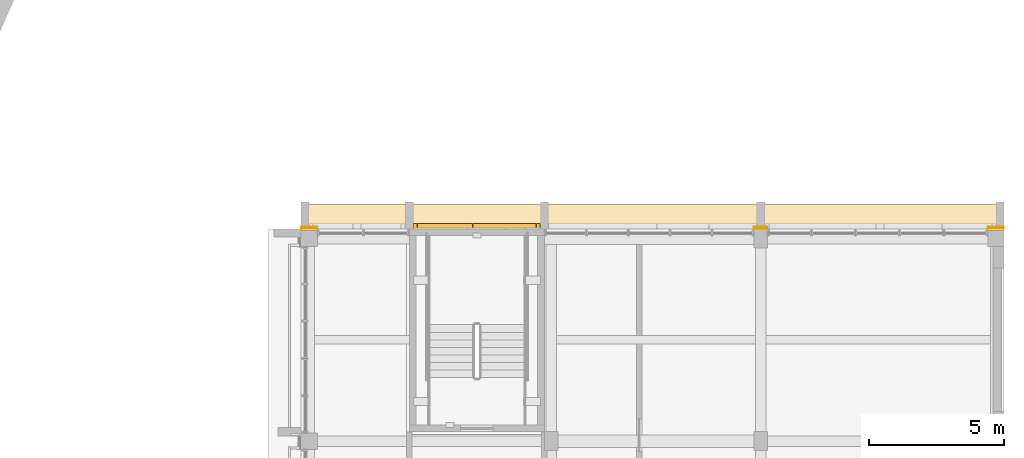
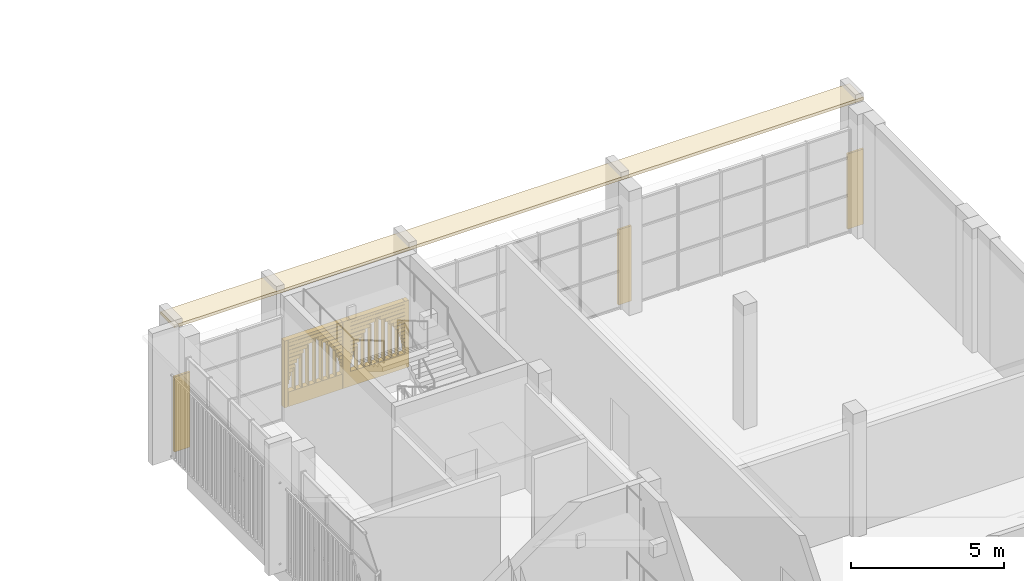
# One storey, part 123 of 125: 3 coverings.
"""IFC4 building model written with IfcOpenShell, lengths in metres."""

from ifc_helpers import new_model, si_unit, direction, frame, origin, origin_2d, place, context, subcontext, project, spatial, polyline, rectangle, outline, extrude, material, layer, layer_set, type_object, element, save


model = new_model("IFC4")

# Units and contexts
model_context = context("Model", 3, precision=1e-05, world=origin(), true_north=direction((0.0, 1.0)))
body_context = subcontext(model_context, "Body", "Model", "MODEL_VIEW")
ifc_project = project(units=[si_unit("LENGTHUNIT", "METRE"), si_unit("AREAUNIT", "SQUARE_METRE"), si_unit("VOLUMEUNIT", "CUBIC_METRE"), si_unit("PLANEANGLEUNIT", "RADIAN"), si_unit("MASSUNIT", "GRAM", prefix="KILO")], contexts=[model_context])

# Site, building, storey
site_placement = place(None, origin())
site = spatial("IfcSite", under=ifc_project, at=site_placement, CompositionType="ELEMENT")
building_placement = place(site_placement, origin())
building = spatial("IfcBuilding", under=site, at=building_placement, Name="Sun Court Science Centre", CompositionType="ELEMENT")
storey_placement = place(building_placement, frame((0.0, 0.0, 6.0)))
storey = spatial("IfcBuildingStorey", under=building, at=storey_placement, Name="L01", CompositionType="ELEMENT", Elevation=6.0)

# Coverings
ifc_material_1 = material(Name="Red sandstone", Category="masonry")
ifc_layer_1 = layer(ifc_material_1, 0.199951171875)
ifc_layer_set_1 = layer_set([ifc_layer_1], Name="Red sandstone")
covering_type_1 = type_object("IfcCoveringType", Name="Arched jali screen 200", PredefinedType="CLADDING", material=ifc_layer_set_1)
covering_1_placement = place(storey_placement, frame((0.0, 0.0, -6.0)))
element("IfcCovering", 1, at=covering_1_placement, inside=storey, type_object=covering_type_1, Name="Arched jali screen north L01 02", PredefinedType="CLADDING", context=body_context, shape_type="SweptSolid", body=[
    extrude(rectangle(XDim=0.139892578125, YDim=0.199951171875, at=origin_2d()), frame((82.22509765625, 81.10009765625, 6.30517578125), z_axis=(0.0, 0.0, 1.0), x_axis=(1.0, 0.0, 0.0)), (0.0, 0.0, 1.0), 2.665283203125),
    extrude(rectangle(XDim=0.2900390625, YDim=0.199951171875, at=origin_2d()), frame((84.5, 81.10009765625, 6.30517578125), z_axis=(0.0, 0.0, 1.0), x_axis=(1.0, 0.0, 0.0)), (0.0, 0.0, 1.0), 2.665283203125),
    extrude(rectangle(XDim=0.139892578125, YDim=0.199951171875, at=origin_2d()), frame((86.77490234375, 81.10009765625, 6.30517578125), z_axis=(0.0, 0.0, 1.0), x_axis=(1.0, 0.0, 0.0)), (0.0, 0.0, 1.0), 2.665283203125),
    extrude(rectangle(XDim=2.0400390625, YDim=0.199951171875, at=origin_2d()), frame((83.324951171875, 81.10009765625, 6.30517578125), z_axis=(0.0, 0.0, 1.0), x_axis=(1.0, 0.0, 0.0)), (0.0, 0.0, 1.0), 0.590087890625),
    extrude(rectangle(XDim=0.024658203125, YDim=0.199951171875, at=origin_2d()), frame((82.3173828125, 81.10009765625, 7.205078125), z_axis=(0.0, 0.0, 1.0), x_axis=(1.0, 0.0, 0.0)), (0.0, 0.0, 1.0), 0.139892578125),
    extrude(rectangle(XDim=0.024658203125, YDim=0.199951171875, at=origin_2d()), frame((84.332763671875, 81.10009765625, 7.205078125), z_axis=(0.0, 0.0, 1.0), x_axis=(1.0, 0.0, 0.0)), (0.0, 0.0, 1.0), 0.139892578125),
    extrude(rectangle(XDim=0.058349609375, YDim=0.199951171875, at=origin_2d()), frame((82.334228515625, 81.10009765625, 7.35498046875), z_axis=(0.0, 0.0, 1.0), x_axis=(1.0, 0.0, 0.0)), (0.0, 0.0, 1.0), 0.139892578125),
    extrude(rectangle(XDim=0.058349609375, YDim=0.199951171875, at=origin_2d()), frame((84.31591796875, 81.10009765625, 7.35498046875), z_axis=(0.0, 0.0, 1.0), x_axis=(1.0, 0.0, 0.0)), (0.0, 0.0, 1.0), 0.139892578125),
    extrude(rectangle(XDim=0.104248046875, YDim=0.199951171875, at=origin_2d()), frame((82.357177734375, 81.10009765625, 7.5048828125), z_axis=(0.0, 0.0, 1.0), x_axis=(1.0, 0.0, 0.0)), (0.0, 0.0, 1.0), 0.139892578125),
    extrude(rectangle(XDim=0.104248046875, YDim=0.199951171875, at=origin_2d()), frame((84.292724609375, 81.10009765625, 7.5048828125), z_axis=(0.0, 0.0, 1.0), x_axis=(1.0, 0.0, 0.0)), (0.0, 0.0, 1.0), 0.139892578125),
    extrude(rectangle(XDim=0.163330078125, YDim=0.199951171875, at=origin_2d()), frame((82.38671875, 81.10009765625, 7.6552734375), z_axis=(0.0, 0.0, 1.0), x_axis=(1.0, 0.0, 0.0)), (0.0, 0.0, 1.0), 0.139892578125),
    extrude(rectangle(XDim=0.163330078125, YDim=0.199951171875, at=origin_2d()), frame((84.263427734375, 81.10009765625, 7.6552734375), z_axis=(0.0, 0.0, 1.0), x_axis=(1.0, 0.0, 0.0)), (0.0, 0.0, 1.0), 0.139892578125),
    extrude(rectangle(XDim=0.23681640625, YDim=0.199951171875, at=origin_2d()), frame((82.42333984375, 81.10009765625, 7.80517578125), z_axis=(0.0, 0.0, 1.0), x_axis=(1.0, 0.0, 0.0)), (0.0, 0.0, 1.0), 0.139892578125),
    extrude(rectangle(XDim=0.23681640625, YDim=0.199951171875, at=origin_2d()), frame((84.2265625, 81.10009765625, 7.80517578125), z_axis=(0.0, 0.0, 1.0), x_axis=(1.0, 0.0, 0.0)), (0.0, 0.0, 1.0), 0.139892578125),
    extrude(rectangle(XDim=0.326171875, YDim=0.199951171875, at=origin_2d()), frame((82.468017578125, 81.10009765625, 7.955078125), z_axis=(0.0, 0.0, 1.0), x_axis=(1.0, 0.0, 0.0)), (0.0, 0.0, 1.0), 0.139892578125),
    extrude(rectangle(XDim=0.326171875, YDim=0.199951171875, at=origin_2d()), frame((84.181884765625, 81.10009765625, 7.955078125), z_axis=(0.0, 0.0, 1.0), x_axis=(1.0, 0.0, 0.0)), (0.0, 0.0, 1.0), 0.139892578125),
    extrude(rectangle(XDim=0.434814453125, YDim=0.199951171875, at=origin_2d()), frame((82.5224609375, 81.10009765625, 8.10498046875), z_axis=(0.0, 0.0, 1.0), x_axis=(1.0, 0.0, 0.0)), (0.0, 0.0, 1.0), 0.139892578125),
    extrude(rectangle(XDim=0.434814453125, YDim=0.199951171875, at=origin_2d()), frame((84.127685546875, 81.10009765625, 8.10498046875), z_axis=(0.0, 0.0, 1.0), x_axis=(1.0, 0.0, 0.0)), (0.0, 0.0, 1.0), 0.139892578125),
    extrude(rectangle(XDim=0.566162109375, YDim=0.199951171875, at=origin_2d()), frame((82.588134765625, 81.10009765625, 8.2548828125), z_axis=(0.0, 0.0, 1.0), x_axis=(1.0, 0.0, 0.0)), (0.0, 0.0, 1.0), 0.139892578125),
    extrude(rectangle(XDim=0.566162109375, YDim=0.199951171875, at=origin_2d()), frame((84.061767578125, 81.10009765625, 8.2548828125), z_axis=(0.0, 0.0, 1.0), x_axis=(1.0, 0.0, 0.0)), (0.0, 0.0, 1.0), 0.139892578125),
    extrude(rectangle(XDim=0.727783203125, YDim=0.199951171875, at=origin_2d()), frame((82.6689453125, 81.10009765625, 8.4052734375), z_axis=(0.0, 0.0, 1.0), x_axis=(1.0, 0.0, 0.0)), (0.0, 0.0, 1.0), 0.139892578125),
    extrude(rectangle(XDim=0.727783203125, YDim=0.199951171875, at=origin_2d()), frame((83.981201171875, 81.10009765625, 8.4052734375), z_axis=(0.0, 0.0, 1.0), x_axis=(1.0, 0.0, 0.0)), (0.0, 0.0, 1.0), 0.139892578125),
    extrude(rectangle(XDim=0.932373046875, YDim=0.199951171875, at=origin_2d()), frame((82.771240234375, 81.10009765625, 8.55517578125), z_axis=(0.0, 0.0, 1.0), x_axis=(1.0, 0.0, 0.0)), (0.0, 0.0, 1.0), 0.139892578125),
    extrude(rectangle(XDim=0.932373046875, YDim=0.199951171875, at=origin_2d()), frame((83.87890625, 81.10009765625, 8.55517578125), z_axis=(0.0, 0.0, 1.0), x_axis=(1.0, 0.0, 0.0)), (0.0, 0.0, 1.0), 0.139892578125),
    extrude(rectangle(XDim=2.0400390625, YDim=0.199951171875, at=origin_2d()), frame((83.324951171875, 81.10009765625, 8.705078125), z_axis=(0.0, 0.0, 1.0), x_axis=(1.0, 0.0, 0.0)), (0.0, 0.0, 1.0), 0.139892578125),
    extrude(rectangle(XDim=2.0400390625, YDim=0.199951171875, at=origin_2d()), frame((83.324951171875, 81.10009765625, 8.85498046875), z_axis=(0.0, 0.0, 1.0), x_axis=(1.0, 0.0, 0.0)), (0.0, 0.0, 1.0), 0.115234375),
    extrude(rectangle(XDim=0.0400390625, YDim=0.199951171875, at=origin_2d()), frame((82.55615234375, 81.10009765625, 6.905029296875), z_axis=(0.0, 0.0, 1.0), x_axis=(1.0, 0.0, 0.0)), (0.0, 0.0, 1.0), 0.982421875),
    extrude(rectangle(XDim=0.0400390625, YDim=0.199951171875, at=origin_2d()), frame((82.8125, 81.10009765625, 6.90478515625), z_axis=(0.0, 0.0, 1.0), x_axis=(1.0, 0.0, 0.0)), (0.0, 0.0, 1.0), 1.345947265625),
    extrude(rectangle(XDim=0.0400390625, YDim=0.199951171875, at=origin_2d()), frame((83.06884765625, 81.10009765625, 6.905029296875), z_axis=(0.0, 0.0, 1.0), x_axis=(1.0, 0.0, 0.0)), (0.0, 0.0, 1.0), 1.59033203125),
    extrude(rectangle(XDim=0.0400390625, YDim=0.199951171875, at=origin_2d()), frame((83.324951171875, 81.10009765625, 6.90478515625), z_axis=(0.0, 0.0, 1.0), x_axis=(1.0, 0.0, 0.0)), (0.0, 0.0, 1.0), 1.765380859375),
    extrude(rectangle(XDim=0.0400390625, YDim=0.199951171875, at=origin_2d()), frame((83.581298828125, 81.10009765625, 6.905029296875), z_axis=(0.0, 0.0, 1.0), x_axis=(1.0, 0.0, 0.0)), (0.0, 0.0, 1.0), 1.59033203125),
    extrude(rectangle(XDim=0.0400390625, YDim=0.199951171875, at=origin_2d()), frame((83.83740234375, 81.10009765625, 6.90478515625), z_axis=(0.0, 0.0, 1.0), x_axis=(1.0, 0.0, 0.0)), (0.0, 0.0, 1.0), 1.345947265625),
    extrude(rectangle(XDim=0.0400390625, YDim=0.199951171875, at=origin_2d()), frame((84.09375, 81.10009765625, 6.905029296875), z_axis=(0.0, 0.0, 1.0), x_axis=(1.0, 0.0, 0.0)), (0.0, 0.0, 1.0), 0.982421875),
    extrude(rectangle(XDim=2.0400390625, YDim=0.199951171875, at=origin_2d()), frame((85.675048828125, 81.10009765625, 6.30517578125), z_axis=(0.0, 0.0, 1.0), x_axis=(1.0, 0.0, 0.0)), (0.0, 0.0, 1.0), 0.590087890625),
    extrude(rectangle(XDim=0.024658203125, YDim=0.199951171875, at=origin_2d()), frame((84.667236328125, 81.10009765625, 7.205078125), z_axis=(0.0, 0.0, 1.0), x_axis=(1.0, 0.0, 0.0)), (0.0, 0.0, 1.0), 0.139892578125),
    extrude(rectangle(XDim=0.024658203125, YDim=0.199951171875, at=origin_2d()), frame((86.6826171875, 81.10009765625, 7.205078125), z_axis=(0.0, 0.0, 1.0), x_axis=(1.0, 0.0, 0.0)), (0.0, 0.0, 1.0), 0.139892578125),
    extrude(rectangle(XDim=0.058349609375, YDim=0.199951171875, at=origin_2d()), frame((84.68408203125, 81.10009765625, 7.35498046875), z_axis=(0.0, 0.0, 1.0), x_axis=(1.0, 0.0, 0.0)), (0.0, 0.0, 1.0), 0.139892578125),
    extrude(rectangle(XDim=0.058349609375, YDim=0.199951171875, at=origin_2d()), frame((86.665771484375, 81.10009765625, 7.35498046875), z_axis=(0.0, 0.0, 1.0), x_axis=(1.0, 0.0, 0.0)), (0.0, 0.0, 1.0), 0.139892578125),
    extrude(rectangle(XDim=0.104248046875, YDim=0.199951171875, at=origin_2d()), frame((84.707275390625, 81.10009765625, 7.5048828125), z_axis=(0.0, 0.0, 1.0), x_axis=(1.0, 0.0, 0.0)), (0.0, 0.0, 1.0), 0.139892578125),
    extrude(rectangle(XDim=0.104248046875, YDim=0.199951171875, at=origin_2d()), frame((86.642822265625, 81.10009765625, 7.5048828125), z_axis=(0.0, 0.0, 1.0), x_axis=(1.0, 0.0, 0.0)), (0.0, 0.0, 1.0), 0.139892578125),
    extrude(rectangle(XDim=0.163330078125, YDim=0.199951171875, at=origin_2d()), frame((84.736572265625, 81.10009765625, 7.6552734375), z_axis=(0.0, 0.0, 1.0), x_axis=(1.0, 0.0, 0.0)), (0.0, 0.0, 1.0), 0.139892578125),
    extrude(rectangle(XDim=0.163330078125, YDim=0.199951171875, at=origin_2d()), frame((86.61328125, 81.10009765625, 7.6552734375), z_axis=(0.0, 0.0, 1.0), x_axis=(1.0, 0.0, 0.0)), (0.0, 0.0, 1.0), 0.139892578125),
    extrude(rectangle(XDim=0.23681640625, YDim=0.199951171875, at=origin_2d()), frame((84.7734375, 81.10009765625, 7.80517578125), z_axis=(0.0, 0.0, 1.0), x_axis=(1.0, 0.0, 0.0)), (0.0, 0.0, 1.0), 0.139892578125),
    extrude(rectangle(XDim=0.23681640625, YDim=0.199951171875, at=origin_2d()), frame((86.57666015625, 81.10009765625, 7.80517578125), z_axis=(0.0, 0.0, 1.0), x_axis=(1.0, 0.0, 0.0)), (0.0, 0.0, 1.0), 0.139892578125),
    extrude(rectangle(XDim=0.326171875, YDim=0.199951171875, at=origin_2d()), frame((84.818115234375, 81.10009765625, 7.955078125), z_axis=(0.0, 0.0, 1.0), x_axis=(1.0, 0.0, 0.0)), (0.0, 0.0, 1.0), 0.139892578125),
    extrude(rectangle(XDim=0.326171875, YDim=0.199951171875, at=origin_2d()), frame((86.531982421875, 81.10009765625, 7.955078125), z_axis=(0.0, 0.0, 1.0), x_axis=(1.0, 0.0, 0.0)), (0.0, 0.0, 1.0), 0.139892578125),
    extrude(rectangle(XDim=0.434814453125, YDim=0.199951171875, at=origin_2d()), frame((84.872314453125, 81.10009765625, 8.10498046875), z_axis=(0.0, 0.0, 1.0), x_axis=(1.0, 0.0, 0.0)), (0.0, 0.0, 1.0), 0.139892578125),
    extrude(rectangle(XDim=0.434814453125, YDim=0.199951171875, at=origin_2d()), frame((86.4775390625, 81.10009765625, 8.10498046875), z_axis=(0.0, 0.0, 1.0), x_axis=(1.0, 0.0, 0.0)), (0.0, 0.0, 1.0), 0.139892578125),
    extrude(rectangle(XDim=0.566162109375, YDim=0.199951171875, at=origin_2d()), frame((84.938232421875, 81.10009765625, 8.2548828125), z_axis=(0.0, 0.0, 1.0), x_axis=(1.0, 0.0, 0.0)), (0.0, 0.0, 1.0), 0.139892578125),
    extrude(rectangle(XDim=0.566162109375, YDim=0.199951171875, at=origin_2d()), frame((86.411865234375, 81.10009765625, 8.2548828125), z_axis=(0.0, 0.0, 1.0), x_axis=(1.0, 0.0, 0.0)), (0.0, 0.0, 1.0), 0.139892578125),
    extrude(rectangle(XDim=0.727783203125, YDim=0.199951171875, at=origin_2d()), frame((85.018798828125, 81.10009765625, 8.4052734375), z_axis=(0.0, 0.0, 1.0), x_axis=(1.0, 0.0, 0.0)), (0.0, 0.0, 1.0), 0.139892578125),
    extrude(rectangle(XDim=0.727783203125, YDim=0.199951171875, at=origin_2d()), frame((86.3310546875, 81.10009765625, 8.4052734375), z_axis=(0.0, 0.0, 1.0), x_axis=(1.0, 0.0, 0.0)), (0.0, 0.0, 1.0), 0.139892578125),
    extrude(rectangle(XDim=0.932373046875, YDim=0.199951171875, at=origin_2d()), frame((85.12109375, 81.10009765625, 8.55517578125), z_axis=(0.0, 0.0, 1.0), x_axis=(1.0, 0.0, 0.0)), (0.0, 0.0, 1.0), 0.139892578125),
    extrude(rectangle(XDim=0.932373046875, YDim=0.199951171875, at=origin_2d()), frame((86.228759765625, 81.10009765625, 8.55517578125), z_axis=(0.0, 0.0, 1.0), x_axis=(1.0, 0.0, 0.0)), (0.0, 0.0, 1.0), 0.139892578125),
    extrude(rectangle(XDim=2.0400390625, YDim=0.199951171875, at=origin_2d()), frame((85.675048828125, 81.10009765625, 8.705078125), z_axis=(0.0, 0.0, 1.0), x_axis=(1.0, 0.0, 0.0)), (0.0, 0.0, 1.0), 0.139892578125),
    extrude(rectangle(XDim=2.0400390625, YDim=0.199951171875, at=origin_2d()), frame((85.675048828125, 81.10009765625, 8.85498046875), z_axis=(0.0, 0.0, 1.0), x_axis=(1.0, 0.0, 0.0)), (0.0, 0.0, 1.0), 0.115234375),
    extrude(rectangle(XDim=0.0400390625, YDim=0.199951171875, at=origin_2d()), frame((84.90625, 81.10009765625, 6.905029296875), z_axis=(0.0, 0.0, 1.0), x_axis=(1.0, 0.0, 0.0)), (0.0, 0.0, 1.0), 0.982421875),
    extrude(rectangle(XDim=0.0400390625, YDim=0.199951171875, at=origin_2d()), frame((85.16259765625, 81.10009765625, 6.90478515625), z_axis=(0.0, 0.0, 1.0), x_axis=(1.0, 0.0, 0.0)), (0.0, 0.0, 1.0), 1.345947265625),
    extrude(rectangle(XDim=0.0400390625, YDim=0.199951171875, at=origin_2d()), frame((85.418701171875, 81.10009765625, 6.905029296875), z_axis=(0.0, 0.0, 1.0), x_axis=(1.0, 0.0, 0.0)), (0.0, 0.0, 1.0), 1.59033203125),
    extrude(rectangle(XDim=0.0400390625, YDim=0.199951171875, at=origin_2d()), frame((85.675048828125, 81.10009765625, 6.90478515625), z_axis=(0.0, 0.0, 1.0), x_axis=(1.0, 0.0, 0.0)), (0.0, 0.0, 1.0), 1.765380859375),
    extrude(rectangle(XDim=0.0400390625, YDim=0.199951171875, at=origin_2d()), frame((85.93115234375, 81.10009765625, 6.905029296875), z_axis=(0.0, 0.0, 1.0), x_axis=(1.0, 0.0, 0.0)), (0.0, 0.0, 1.0), 1.59033203125),
    extrude(rectangle(XDim=0.0400390625, YDim=0.199951171875, at=origin_2d()), frame((86.1875, 81.10009765625, 6.90478515625), z_axis=(0.0, 0.0, 1.0), x_axis=(1.0, 0.0, 0.0)), (0.0, 0.0, 1.0), 1.345947265625),
    extrude(rectangle(XDim=0.0400390625, YDim=0.199951171875, at=origin_2d()), frame((86.44384765625, 81.10009765625, 6.905029296875), z_axis=(0.0, 0.0, 1.0), x_axis=(1.0, 0.0, 0.0)), (0.0, 0.0, 1.0), 0.982421875),
])
ifc_material_2 = material(Name="Red sandstone", Category="masonry")
ifc_layer_2 = layer(ifc_material_2, 0.080078125)
ifc_layer_set_2 = layer_set([ifc_layer_2], Name="Red sandstone")
covering_type_2 = type_object("IfcCoveringType", Name="Red sandstone pier cladding", PredefinedType="CLADDING", material=ifc_layer_set_2)
covering_2_placement = place(storey_placement, frame((0.0, 0.0, -6.0)))
element("IfcCovering", 2, at=covering_2_placement, inside=storey, type_object=covering_type_2, Name="Red sandstone pier cladding north face L01", PredefinedType="CLADDING", context=body_context, shape_type="SweptSolid", body=[
    extrude(rectangle(XDim=0.60009765625, YDim=0.080078125, at=origin_2d()), frame((78.300048828125, 81.0400390625, 6.0), z_axis=(0.0, 0.0, 1.0), x_axis=(1.0, 0.0, 0.0)), (0.0, 0.0, 1.0), 3.0),
    extrude(rectangle(XDim=0.5, YDim=0.080078125, at=origin_2d()), frame((95.0, 81.0400390625, 6.0), z_axis=(0.0, 0.0, 1.0), x_axis=(1.0, 0.0, 0.0)), (0.0, 0.0, 1.0), 3.0),
    extrude(rectangle(XDim=0.60009765625, YDim=0.080078125, at=origin_2d()), frame((103.699951171875, 81.0400390625, 6.0), z_axis=(0.0, 0.0, 1.0), x_axis=(1.0, 0.0, 0.0)), (0.0, 0.0, 1.0), 3.0),
])
ifc_material_3 = material(Name="Red sandstone", Category="masonry")
ifc_layer_3 = layer(ifc_material_3, 0.1201171875)
ifc_layer_set_3 = layer_set([ifc_layer_3], Name="Red sandstone")
covering_type_3 = type_object("IfcCoveringType", Name="Sandstone chhajja eave 900", PredefinedType="CLADDING", material=ifc_layer_set_3)
covering_3_placement = place(storey_placement, frame((0.0, 0.0, 4.949951171875)))
element("IfcCovering", 3, at=covering_3_placement, inside=storey, type_object=covering_type_3, Name="Chhajja eave north face L01", PredefinedType="CLADDING", context=body_context, shape_type="SweptSolid", body=[
    extrude(outline(polyline([(78.0, 81.0), (104.0, 81.0), (104.0, 81.89990234375), (78.0, 81.89990234375), (78.0, 81.0)])), origin(), (0.0, 0.0, 1.0), 0.1201171875),
])

save(model, "model.ifc")
